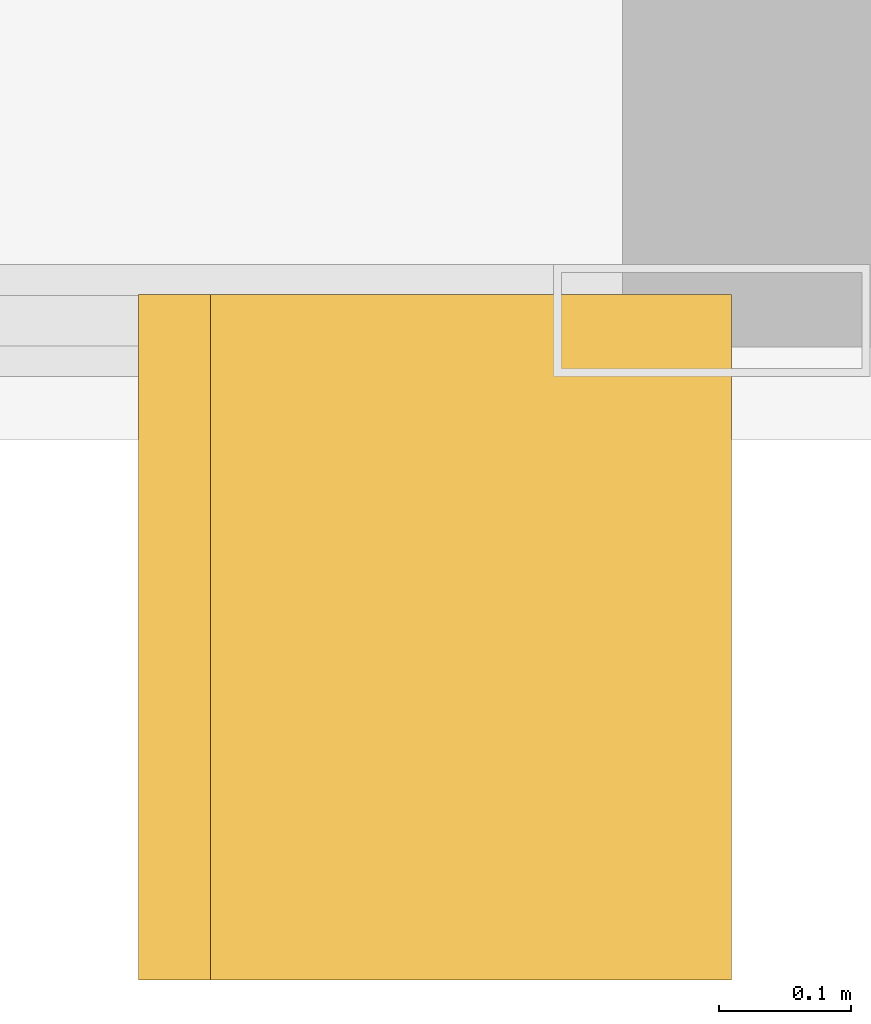
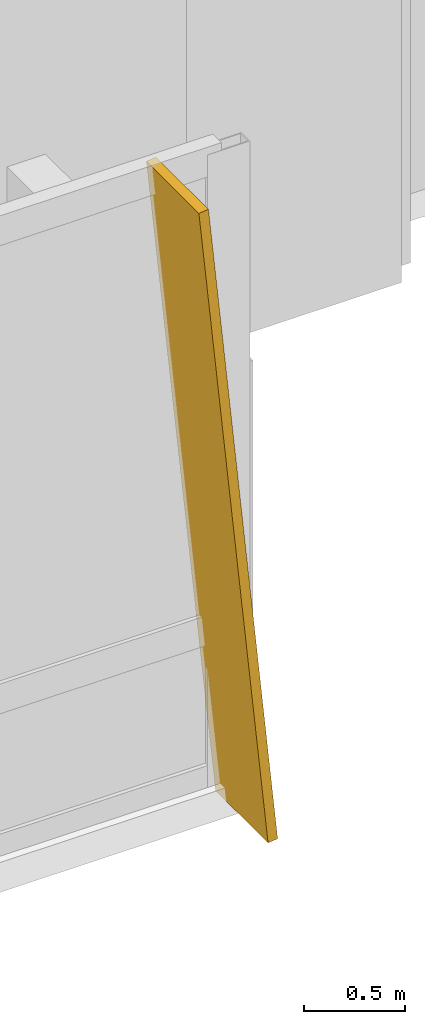
# One storey, part 32 of 32: 1 shading device.
"""IFC4 building model written with IfcOpenShell, lengths in metres."""

from ifc_helpers import new_model, si_unit, direction, frame, origin, place, context, subcontext, project, spatial, polyline, outline, extrude, material, layer, layer_set, type_object, element, save


model = new_model("IFC4")

# Units and contexts
model_context = context("Model", 3, precision=1e-05, world=origin(), true_north=direction((0.0, 1.0)))
body_context = subcontext(model_context, "Body", "Model", "MODEL_VIEW")
ifc_project = project(units=[si_unit("LENGTHUNIT", "METRE"), si_unit("AREAUNIT", "SQUARE_METRE"), si_unit("VOLUMEUNIT", "CUBIC_METRE"), si_unit("PLANEANGLEUNIT", "RADIAN"), si_unit("MASSUNIT", "GRAM", prefix="KILO")], contexts=[model_context])

# Site, building, storey
site_placement = place(None, origin())
site = spatial("IfcSite", under=ifc_project, at=site_placement, CompositionType="ELEMENT")
building_placement = place(site_placement, origin())
building = spatial("IfcBuilding", under=site, at=building_placement, Name="Khoronbel Lancet Exchange", CompositionType="ELEMENT")
storey_placement = place(building_placement, frame((0.0, 0.0, 77.800048828125)))
storey = spatial("IfcBuildingStorey", under=building, at=storey_placement, Name="L18", CompositionType="ELEMENT", Elevation=77.800048828125)

# Shading device
ifc_material = material(Name="Bronze-Anodised Aluminium 6063-T6", Category="aluminium")
ifc_layer = layer(ifc_material, 0.054931640625, Name="Bronze-Anodised Aluminium 6063-T6")
ifc_layer_set = layer_set([ifc_layer], Name="Bronze-Anodised Aluminium 6063-T6")
shading_device_type = type_object("IfcShadingDeviceType", Name="SHD-FIN1", PredefinedType="USERDEFINED", material=ifc_layer_set)
shading_device_placement = place(storey_placement, frame((67.9326171875, 7.31005859375, -0.080078125), z_axis=(0.995011517869, 0.0, 0.099760108806), x_axis=(0.0, -1.0, 0.0)))
element("IfcShadingDevice", 1, at=shading_device_placement, inside=storey, type_object=shading_device_type, Name="Slanted bronze solar fin CW-L18-SEV-1", ObjectType="FIN", PredefinedType="USERDEFINED", context=body_context, shape_type="SweptSolid", body=[
    extrude(outline(polyline([(0.0, 0.0), (0.52001953125, 0.0), (0.52001953125, -3.959716796875), (0.0, -3.959716796875), (0.0, 0.0)])), origin(), (0.0, 0.0, -1.0), 0.054931640625),
])

save(model, "model.ifc")
